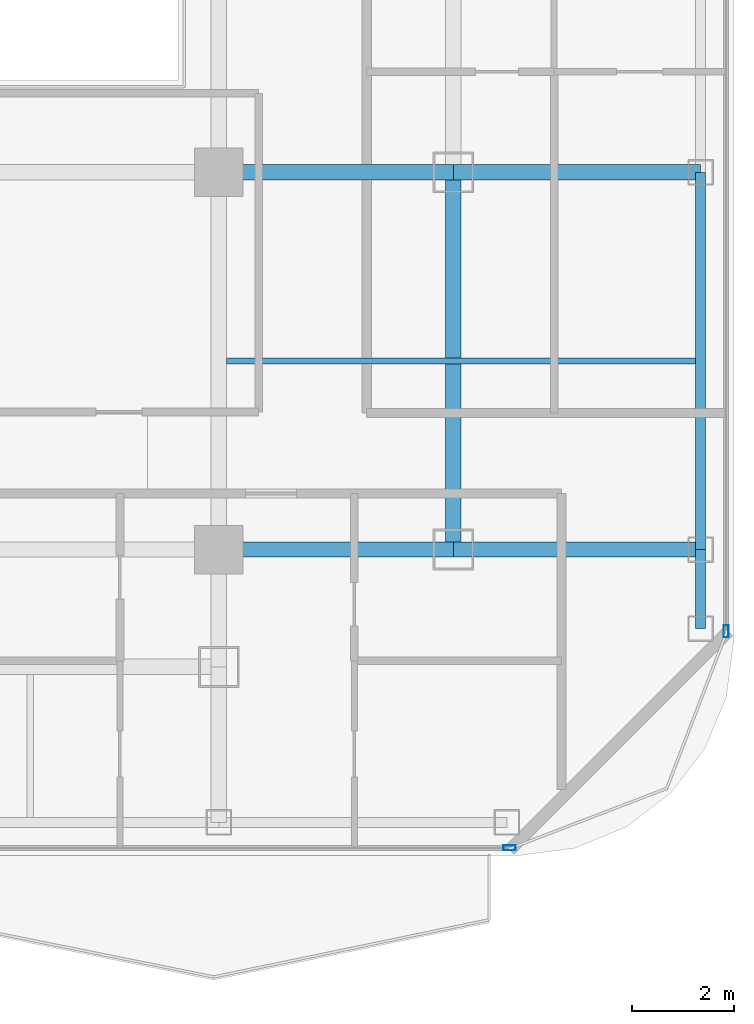
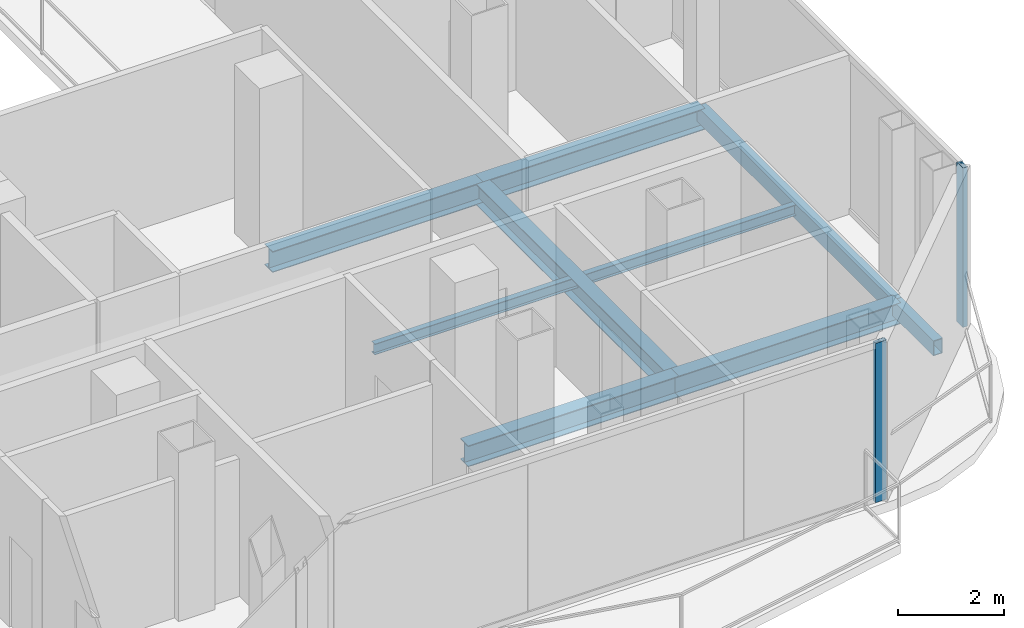
# One storey, part 7 of 23: 8 beams, 2 members, 2 elements without a shape of their own.
"""IFC4 building model written with IfcOpenShell, lengths in metres."""

from ifc_helpers import new_model, si_unit, direction, frame, origin, origin_2d, place, context, subcontext, project, spatial, hollow_rectangle, i_section, extrude, material, layer, layer_set, material_profile, profile_set, type_object, element, aggregate, save


model = new_model("IFC4")

# Units and contexts
model_context = context("Model", 3, precision=1e-05, world=origin(), true_north=direction((0.0, 1.0)))
body_context = subcontext(model_context, "Body", "Model", "MODEL_VIEW")
ifc_project = project(units=[si_unit("LENGTHUNIT", "METRE"), si_unit("AREAUNIT", "SQUARE_METRE"), si_unit("VOLUMEUNIT", "CUBIC_METRE"), si_unit("PLANEANGLEUNIT", "RADIAN"), si_unit("MASSUNIT", "GRAM", prefix="KILO")], contexts=[model_context])

# Site, building, storey
site_placement = place(None, origin())
site = spatial("IfcSite", under=ifc_project, at=site_placement, CompositionType="ELEMENT")
building_placement = place(site_placement, origin())
building = spatial("IfcBuilding", under=site, at=building_placement, Name="Khorvyn Point Tower", CompositionType="ELEMENT")
storey_placement = place(building_placement, frame((0.0, 0.0, 274.199951171875)))
storey = spatial("IfcBuildingStorey", under=building, at=storey_placement, Name="L67", CompositionType="ELEMENT", Elevation=274.199951171875)

# Curtain wall, member
ifc_material_1 = material(Name="Anodised aluminium 6063-T6 and laminated Low-E glass", Category="aluminium")
ifc_layer = layer(ifc_material_1, 0.18994140625)
ifc_layer_set = layer_set([ifc_layer], Name="Stick-Built High-Wind Curtain Wall CW-SYS-04")
curtain_wall_type = type_object("IfcCurtainWallType", Name="Stick-Built High-Wind Curtain Wall CW-SYS-04", PredefinedType="NOTDEFINED", material=ifc_layer_set)
curtain_wall_1_placement = place(storey_placement, origin())
curtain_wall_1 = element("IfcCurtainWall", 1, at=curtain_wall_1_placement, inside=storey, type_object=curtain_wall_type, Name="Curtain Wall", PredefinedType="NOTDEFINED")
ifc_material_2 = material(Name="Anodised aluminium 6063-T6", Category="aluminium")
ifc_material_profile_1 = material_profile(ifc_material_2, hollow_rectangle(XDim=0.10009765625, YDim=0.239990234375, WallThickness=0.0048828125, at=origin_2d()))
ifc_profile_set_1 = profile_set([ifc_material_profile_1], Name="Anodised aluminium 6063-T6 ALU-MUL-100x240")
member_type = type_object("IfcMemberType", Name="Anodised Aluminium 6063-T6 Mullion ALU-MUL-100x240", PredefinedType="MULLION", material=ifc_profile_set_1)
member_1_placement = place(storey_placement, frame((20.5, -20.64990234375, 0.0), z_axis=(0.0, 0.0, 1.0), x_axis=(0.0, -1.0, 0.0)))
member_1 = element("IfcMember", 2, at=member_1_placement, type_object=member_type, Name="Transom", PredefinedType="MULLION", context=body_context, shape_type="SweptSolid", body=[
    extrude(hollow_rectangle(XDim=0.10009765625, YDim=0.239990234375, WallThickness=0.0048828125, at=origin_2d()), origin(), (0.0, 0.0, 1.0), 3.679931640625),
])
aggregate(curtain_wall_1, [member_1])

curtain_wall_2_placement = place(storey_placement, origin())
curtain_wall_2 = element("IfcCurtainWall", 3, at=curtain_wall_2_placement, inside=storey, type_object=curtain_wall_type, Name="Curtain Wall", PredefinedType="NOTDEFINED")
member_2_placement = place(storey_placement, frame((24.75, -16.39990234375, 0.0), z_axis=(0.0, 0.0, 1.0), x_axis=(1.0, 0.0, 0.0)))
member_2 = element("IfcMember", 4, at=member_2_placement, type_object=member_type, Name="Transom", PredefinedType="MULLION", context=body_context, shape_type="SweptSolid", body=[
    extrude(hollow_rectangle(XDim=0.10009765625, YDim=0.239990234375, WallThickness=0.0048828125, at=origin_2d()), origin(), (0.0, 0.0, 1.0), 3.679931640625),
])
aggregate(curtain_wall_2, [member_2])

# Beams
ifc_material_3 = material(Name="Steel S355", Category="steel")
ifc_material_profile_2 = material_profile(ifc_material_3, i_section(OverallWidth=0.125, OverallDepth=0.25, WebThickness=0.006103515625, FlangeThickness=0.009033203125, at=origin_2d()))
ifc_profile_set_2 = profile_set([ifc_material_profile_2], Name="Steel S355 H250x125x6x9")
beam_type_1 = type_object("IfcBeamType", Name="Steel S355 Joist H250x125x6x9", PredefinedType="JOIST", material=ifc_profile_set_2)
beam_1_placement = place(storey_placement, frame((14.949951171875, -11.10009765625, -0.344970703125), z_axis=(1.0, 0.0, 0.0), x_axis=(0.0, 1.0, 0.0)))
element("IfcBeam", 5, at=beam_1_placement, inside=storey, type_object=beam_type_1, Name="Beam", PredefinedType="JOIST", context=body_context, shape_type="SweptSolid", body=[
    extrude(i_section(OverallWidth=0.125, OverallDepth=0.25, WebThickness=0.006103515625, FlangeThickness=0.009033203125, at=origin_2d()), origin(), (0.0, 0.0, 1.0), 9.199951171875),
])
ifc_material_profile_3 = material_profile(ifc_material_3, i_section(OverallWidth=0.300048828125, OverallDepth=0.488037109375, WebThickness=0.010986328125, FlangeThickness=0.01806640625, at=origin_2d()))
ifc_profile_set_3 = profile_set([ifc_material_profile_3], Name="Steel S355 H488x300x11x18")
beam_type_2 = type_object("IfcBeamType", Name="Steel S355 Spandrel H488x300x11x18", PredefinedType="SPANDREL", material=ifc_profile_set_3)
beam_2_placement = place(storey_placement, frame((14.800048828125, -14.800048828125, -0.4638671875), z_axis=(1.0, 0.0, 0.0), x_axis=(0.0, 1.0, 0.0)))
element("IfcBeam", 6, at=beam_2_placement, inside=storey, type_object=beam_type_2, Name="Beam", PredefinedType="SPANDREL", context=body_context, shape_type="SweptSolid", body=[
    extrude(i_section(OverallWidth=0.300048828125, OverallDepth=0.488037109375, WebThickness=0.010986328125, FlangeThickness=0.01806640625, at=origin_2d()), origin(), (0.0, 0.0, 1.0), 4.599853515625),
])
beam_3_placement = place(storey_placement, frame((19.39990234375, -14.800048828125, -0.4638671875), z_axis=(1.0, 0.0, 0.0), x_axis=(0.0, 1.0, 0.0)))
element("IfcBeam", 7, at=beam_3_placement, inside=storey, type_object=beam_type_2, Name="Beam", PredefinedType="SPANDREL", context=body_context, shape_type="SweptSolid", body=[
    extrude(i_section(OverallWidth=0.300048828125, OverallDepth=0.488037109375, WebThickness=0.010986328125, FlangeThickness=0.01806640625, at=origin_2d()), origin(), (0.0, 0.0, 1.0), 4.85009765625),
])
beam_4_placement = place(storey_placement, frame((14.800048828125, -7.39990234375, -0.4638671875), z_axis=(1.0, 0.0, 0.0), x_axis=(0.0, 1.0, 0.0)))
element("IfcBeam", 8, at=beam_4_placement, inside=storey, type_object=beam_type_2, Name="Beam", PredefinedType="SPANDREL", context=body_context, shape_type="SweptSolid", body=[
    extrude(i_section(OverallWidth=0.300048828125, OverallDepth=0.488037109375, WebThickness=0.010986328125, FlangeThickness=0.01806640625, at=origin_2d()), origin(), (0.0, 0.0, 1.0), 4.599853515625),
])
beam_5_placement = place(storey_placement, frame((19.39990234375, -7.39990234375, -0.4638671875), z_axis=(1.0, 0.0, 0.0), x_axis=(0.0, 1.0, 0.0)))
element("IfcBeam", 9, at=beam_5_placement, inside=storey, type_object=beam_type_2, Name="Beam", PredefinedType="SPANDREL", context=body_context, shape_type="SweptSolid", body=[
    extrude(i_section(OverallWidth=0.300048828125, OverallDepth=0.488037109375, WebThickness=0.010986328125, FlangeThickness=0.01806640625, at=origin_2d()), origin(), (0.0, 0.0, 1.0), 4.85009765625),
])
beam_6_placement = place(storey_placement, frame((19.39990234375, -14.800048828125, -0.4638671875), z_axis=(0.0, 1.0, 0.0), x_axis=(-1.0, 0.0, 0.0)))
element("IfcBeam", 10, at=beam_6_placement, inside=storey, type_object=beam_type_2, Name="Beam", PredefinedType="SPANDREL", context=body_context, shape_type="SweptSolid", body=[
    extrude(i_section(OverallWidth=0.300048828125, OverallDepth=0.488037109375, WebThickness=0.010986328125, FlangeThickness=0.01806640625, at=origin_2d()), origin(), (0.0, 0.0, 1.0), 7.400146484375),
])
ifc_material_profile_4 = material_profile(ifc_material_3, hollow_rectangle(XDim=0.199951171875, YDim=0.35009765625, WallThickness=0.013916015625, at=origin_2d()))
ifc_profile_set_4 = profile_set([ifc_material_profile_4], Name="Steel S355 RHS350x200x14")
beam_type_3 = type_object("IfcBeamType", Name="Steel S355 Spandrel RHS350x200x14", PredefinedType="SPANDREL", material=ifc_profile_set_4)
beam_7_placement = place(storey_placement, frame((24.25, -16.35009765625, -0.39501953125), z_axis=(0.0, 1.0, 0.0), x_axis=(-1.0, 0.0, 0.0)))
element("IfcBeam", 11, at=beam_7_placement, inside=storey, type_object=beam_type_3, Name="Beam", PredefinedType="SPANDREL", context=body_context, shape_type="SweptSolid", body=[
    extrude(hollow_rectangle(XDim=0.199951171875, YDim=0.35009765625, WallThickness=0.013916015625, at=origin_2d()), origin(), (0.0, 0.0, 1.0), 1.550048828125),
])
beam_8_placement = place(storey_placement, frame((24.25, -14.800048828125, -0.39501953125), z_axis=(0.0, 1.0, 0.0), x_axis=(-1.0, 0.0, 0.0)))
element("IfcBeam", 12, at=beam_8_placement, inside=storey, type_object=beam_type_3, Name="Beam", PredefinedType="SPANDREL", context=body_context, shape_type="SweptSolid", body=[
    extrude(hollow_rectangle(XDim=0.199951171875, YDim=0.35009765625, WallThickness=0.013916015625, at=origin_2d()), origin(), (0.0, 0.0, 1.0), 7.400146484375),
])

save(model, "model.ifc")
